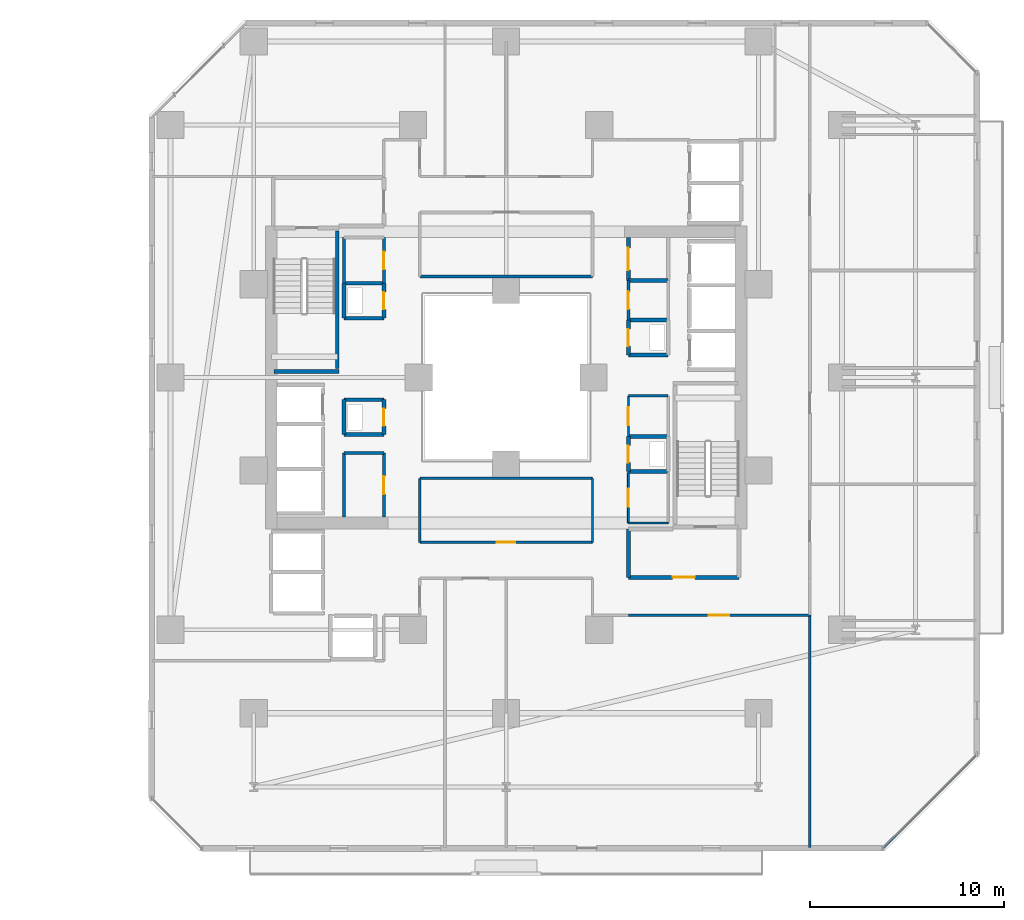
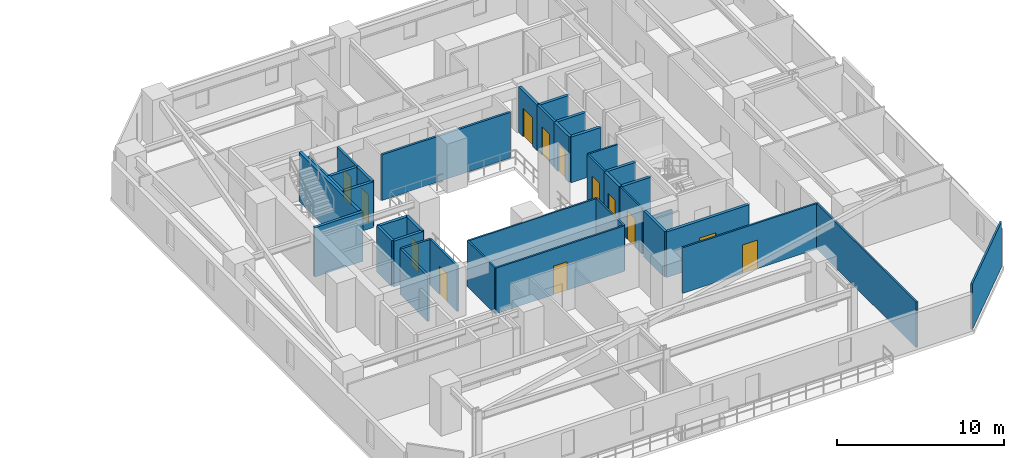
# One storey, part 23 of 33: 38 walls, 13 doors, 13 openings.
"""IFC4 building model written with IfcOpenShell, lengths in metres."""

from ifc_helpers import new_model, si_unit, direction, frame, frame_2d, origin, place, context, subcontext, project, spatial, rectangle, extrude, material, layer, layer_set, type_object, element, fill, save


model = new_model("IFC4")

# Units and contexts
model_context = context("Model", 3, precision=1e-05, world=origin(), true_north=direction((0.0, 1.0)))
body_context = subcontext(model_context, "Body", "Model", "MODEL_VIEW")
ifc_project = project(units=[si_unit("LENGTHUNIT", "METRE"), si_unit("AREAUNIT", "SQUARE_METRE"), si_unit("VOLUMEUNIT", "CUBIC_METRE"), si_unit("PLANEANGLEUNIT", "RADIAN"), si_unit("MASSUNIT", "GRAM", prefix="KILO")], contexts=[model_context])

# Site, building, storey
site_placement = place(None, origin())
site = spatial("IfcSite", under=ifc_project, at=site_placement, CompositionType="ELEMENT")
building_placement = place(site_placement, origin())
building = spatial("IfcBuilding", under=site, at=building_placement, Name="Thornwick Lancets Civic Towers", CompositionType="ELEMENT")
storey_placement = place(building_placement, frame((0.0, 0.0, 42.300048828125)))
storey = spatial("IfcBuildingStorey", under=building, at=storey_placement, Name="L10", CompositionType="ELEMENT", Elevation=42.300048828125)

# Wall, opening, door
ifc_material_1 = material(Name="Concrete blockwork C40/50", Category="masonry")
ifc_layer_1 = layer(ifc_material_1, 0.199951171875, Name="Concrete blockwork C40/50")
ifc_layer_set_1 = layer_set([ifc_layer_1], Name="Concrete blockwork C40/50")
wall_type_1 = type_object("IfcWallType", Name="WALL_COMP_200", PredefinedType="STANDARD", material=ifc_layer_set_1)
wall_1_placement = place(storey_placement, frame((94.800048828125, 16.699951171875, 0.0), z_axis=(0.0, 0.0, 1.0), x_axis=(1.0, 0.0, 0.0)))
wall_1 = element("IfcWall", 1, at=wall_1_placement, inside=storey, type_object=wall_type_1, Name="L10 Partition L10-B-FFLOB1 E1", PredefinedType="STANDARD", context=body_context, shape_type="SweptSolid", body=[
    extrude(rectangle(XDim=5.699951171875, YDim=0.199951171875, at=frame_2d((2.85009765625, 0.0))), origin(), (0.0, 0.0, 1.0), 3.33984375),
])
opening_1_placement = place(wall_1_placement, frame((2.27490234375, 0.0, 0.0)))
opening_1 = element("IfcOpeningElement", 2, at=opening_1_placement, cuts=wall_1, Name="Opening D-L10-0499", PredefinedType="OPENING", context=body_context, shape_type="SweptSolid", body=[
    extrude(rectangle(XDim=1.14990234375, YDim=2.10009765625, at=frame_2d((0.574951171875, 1.050048828125))), frame((0.0, 0.10986328125, 0.0), z_axis=(0.0, -1.0, 0.0), x_axis=(1.0, 0.0, 0.0)), (0.0, 0.0, 1.0), 0.219970703125),
])
ifc_material_2 = material(Name="Glazed fire-resisting steel", Category="steel")
door_type_1 = type_object("IfcDoorType", Name="DOOR_LOBBY_FD60", OperationType="NOTDEFINED", PredefinedType="DOOR", material=ifc_material_2)
door_1_placement = place(opening_1_placement, origin())
door_1 = element("IfcDoor", 3, at=door_1_placement, inside=storey, type_object=door_type_1, Name="L10 East Firefighting Lobby 1 Door", OperationType="SINGLE_SWING_RIGHT", OverallHeight=2.10009765625, OverallWidth=1.14990234375, PredefinedType="DOOR", context=body_context, shape_type="SweptSolid", body=[
    extrude(rectangle(XDim=1.14990234375, YDim=2.10009765625, at=frame_2d((0.574951171875, 1.050048828125))), frame((0.0, 0.02490234375, 0.0), z_axis=(0.0, -1.0, 0.0), x_axis=(1.0, 0.0, 0.0)), (0.0, 0.0, 1.0), 0.050048828125),
])
fill(opening_1, door_1)

# Walls
wall_2_placement = place(storey_placement, frame((94.800048828125, 19.199951171875, 0.0), z_axis=(0.0, 0.0, 1.0), x_axis=(0.0, -1.0, 0.0)))
element("IfcWall", 4, at=wall_2_placement, inside=storey, type_object=wall_type_1, Name="L10 Partition L10-B-FFLOB1 E4", PredefinedType="STANDARD", context=body_context, shape_type="SweptSolid", body=[
    extrude(rectangle(XDim=2.5, YDim=0.199951171875, at=frame_2d((1.25, 0.0))), origin(), (0.0, 0.0, 1.0), 3.33984375),
])
for number, where, z_axis, x_axis, name in (
    (5, (94.800048828125, 28.14990234375, 0.0), (0.0, 0.0, 1.0), (1.0, 0.0, 0.0), "L10 Partition L10-B-DUCT1 E1"),
    (6, (96.85009765625, 29.949951171875, 0.0), (0.0, 0.0, 1.0), (-1.0, 0.0, 0.0), "L10 Partition L10-B-DUCT1 E3"),
):
    element("IfcWall", number, at=place(storey_placement, frame(where, z_axis=z_axis, x_axis=x_axis)), inside=storey, type_object=wall_type_1, Name=name, PredefinedType="STANDARD", context=body_context, shape_type="SweptSolid", body=[
        extrude(rectangle(XDim=2.050048828125, YDim=0.199951171875, at=frame_2d((1.02490234375, 0.0))), origin(), (0.0, 0.0, 1.0), 3.33984375),
    ])

# Wall, opening, door
wall_3_placement = place(storey_placement, frame((94.800048828125, 29.949951171875, 0.0), z_axis=(0.0, 0.0, 1.0), x_axis=(0.0, -1.0, 0.0)))
wall_3 = element("IfcWall", 7, at=wall_3_placement, inside=storey, type_object=wall_type_1, Name="L10 Partition L10-B-DUCT1 E4", PredefinedType="STANDARD", context=body_context, shape_type="SweptSolid", body=[
    extrude(rectangle(XDim=1.800048828125, YDim=0.199951171875, at=frame_2d((0.89990234375, 0.0))), origin(), (0.0, 0.0, 1.0), 3.33984375),
])
opening_2_placement = place(wall_3_placement, frame((0.4599609375, 0.0, 0.0)))
opening_2 = element("IfcOpeningElement", 8, at=opening_2_placement, cuts=wall_3, Name="Opening D-L10-0501", PredefinedType="OPENING", context=body_context, shape_type="SweptSolid", body=[
    extrude(rectangle(XDim=0.8798828125, YDim=2.0400390625, at=frame_2d((0.43994140625, 1.02001953125))), frame((0.0, 0.10986328125, 0.0), z_axis=(0.0, -1.0, 0.0), x_axis=(1.0, 0.0, 0.0)), (0.0, 0.0, 1.0), 0.219970703125),
])
ifc_material_3 = material(Name="Steel riser access doorset", Category="steel")
door_type_2 = type_object("IfcDoorType", Name="DOOR_RISER_850", OperationType="NOTDEFINED", PredefinedType="DOOR", material=ifc_material_3)
door_2_placement = place(opening_2_placement, origin())
door_2 = element("IfcDoor", 9, at=door_2_placement, inside=storey, type_object=door_type_2, Name="L10 East Service Duct 1 Door", OperationType="SINGLE_SWING_RIGHT", OverallHeight=2.0400390625, OverallWidth=0.8798828125, PredefinedType="DOOR", context=body_context, shape_type="SweptSolid", body=[
    extrude(rectangle(XDim=0.8798828125, YDim=2.0400390625, at=frame_2d((0.43994140625, 1.02001953125))), frame((0.0, 0.02490234375, 0.0), z_axis=(0.0, -1.0, 0.0), x_axis=(1.0, 0.0, 0.0)), (0.0, 0.0, 1.0), 0.050048828125),
])
fill(opening_2, door_2)

# Walls
for number, where, z_axis, x_axis, name in (
    (10, (94.800048828125, 22.14990234375, 0.0), (0.0, 0.0, 1.0), (1.0, 0.0, 0.0), "L10 Partition L10-B-RISER1 E1"),
    (11, (96.85009765625, 23.949951171875, 0.0), (0.0, 0.0, 1.0), (-1.0, 0.0, 0.0), "L10 Partition L10-B-RISER1 E3"),
):
    element("IfcWall", number, at=place(storey_placement, frame(where, z_axis=z_axis, x_axis=x_axis)), inside=storey, type_object=wall_type_1, Name=name, PredefinedType="STANDARD", context=body_context, shape_type="SweptSolid", body=[
        extrude(rectangle(XDim=2.050048828125, YDim=0.199951171875, at=frame_2d((1.02490234375, 0.0))), origin(), (0.0, 0.0, 1.0), 3.33984375),
    ])

# Wall, opening, door
wall_4_placement = place(storey_placement, frame((94.800048828125, 23.949951171875, 0.0), z_axis=(0.0, 0.0, 1.0), x_axis=(0.0, -1.0, 0.0)))
wall_4 = element("IfcWall", 12, at=wall_4_placement, inside=storey, type_object=wall_type_1, Name="L10 Partition L10-B-RISER1 E4", PredefinedType="STANDARD", context=body_context, shape_type="SweptSolid", body=[
    extrude(rectangle(XDim=1.800048828125, YDim=0.199951171875, at=frame_2d((0.89990234375, 0.0))), origin(), (0.0, 0.0, 1.0), 3.33984375),
])
opening_3_placement = place(wall_4_placement, frame((0.4599609375, 0.0, 0.0)))
opening_3 = element("IfcOpeningElement", 13, at=opening_3_placement, cuts=wall_4, Name="Opening D-L10-0502", PredefinedType="OPENING", context=body_context, shape_type="SweptSolid", body=[
    extrude(rectangle(XDim=0.8798828125, YDim=2.0400390625, at=frame_2d((0.43994140625, 1.02001953125))), frame((0.0, 0.10986328125, 0.0), z_axis=(0.0, -1.0, 0.0), x_axis=(1.0, 0.0, 0.0)), (0.0, 0.0, 1.0), 0.219970703125),
])
door_3_placement = place(opening_3_placement, origin())
door_3 = element("IfcDoor", 14, at=door_3_placement, inside=storey, type_object=door_type_2, Name="L10 East Electrical Riser 1 Door", OperationType="SINGLE_SWING_LEFT", OverallHeight=2.0400390625, OverallWidth=0.8798828125, PredefinedType="DOOR", context=body_context, shape_type="SweptSolid", body=[
    extrude(rectangle(XDim=0.8798828125, YDim=2.0400390625, at=frame_2d((0.43994140625, 1.02001953125))), frame((0.0, 0.02490234375, 0.0), z_axis=(0.0, -1.0, 0.0), x_axis=(1.0, 0.0, 0.0)), (0.0, 0.0, 1.0), 0.050048828125),
])
fill(opening_3, door_3)

# Wall
wall_5_placement = place(storey_placement, frame((80.14990234375, 24.050048828125, 0.0), z_axis=(0.0, 0.0, 1.0), x_axis=(1.0, 0.0, 0.0)))
element("IfcWall", 15, at=wall_5_placement, inside=storey, type_object=wall_type_1, Name="L10 Partition L10-B-DUCT2 E1", PredefinedType="STANDARD", context=body_context, shape_type="SweptSolid", body=[
    extrude(rectangle(XDim=2.050048828125, YDim=0.199951171875, at=frame_2d((1.02490234375, 0.0))), origin(), (0.0, 0.0, 1.0), 3.33984375),
])

# Wall, opening, door
wall_6_placement = place(storey_placement, frame((82.199951171875, 24.050048828125, 0.0), z_axis=(0.0, 0.0, 1.0), x_axis=(0.0, 1.0, 0.0)))
wall_6 = element("IfcWall", 16, at=wall_6_placement, inside=storey, type_object=wall_type_1, Name="L10 Partition L10-B-DUCT2 E2", PredefinedType="STANDARD", context=body_context, shape_type="SweptSolid", body=[
    extrude(rectangle(XDim=1.800048828125, YDim=0.199951171875, at=frame_2d((0.89990234375, 0.0))), origin(), (0.0, 0.0, 1.0), 3.33984375),
])
opening_4_placement = place(wall_6_placement, frame((0.4599609375, 0.0, 0.0)))
opening_4 = element("IfcOpeningElement", 17, at=opening_4_placement, cuts=wall_6, Name="Opening D-L10-0503", PredefinedType="OPENING", context=body_context, shape_type="SweptSolid", body=[
    extrude(rectangle(XDim=0.8798828125, YDim=2.0400390625, at=frame_2d((0.43994140625, 1.02001953125))), frame((0.0, 0.10986328125, 0.0), z_axis=(0.0, -1.0, 0.0), x_axis=(1.0, 0.0, 0.0)), (0.0, 0.0, 1.0), 0.219970703125),
])
door_4_placement = place(opening_4_placement, origin())
door_4 = element("IfcDoor", 18, at=door_4_placement, inside=storey, type_object=door_type_2, Name="L10 West Service Duct 2 Door", OperationType="SINGLE_SWING_RIGHT", OverallHeight=2.0400390625, OverallWidth=0.8798828125, PredefinedType="DOOR", context=body_context, shape_type="SweptSolid", body=[
    extrude(rectangle(XDim=0.8798828125, YDim=2.0400390625, at=frame_2d((0.43994140625, 1.02001953125))), frame((0.0, 0.02490234375, 0.0), z_axis=(0.0, -1.0, 0.0), x_axis=(1.0, 0.0, 0.0)), (0.0, 0.0, 1.0), 0.050048828125),
])
fill(opening_4, door_4)

# Walls
wall_7_placement = place(storey_placement, frame((82.199951171875, 25.85009765625, 0.0), z_axis=(0.0, 0.0, 1.0), x_axis=(-1.0, 0.0, 0.0)))
element("IfcWall", 19, at=wall_7_placement, inside=storey, type_object=wall_type_1, Name="L10 Partition L10-B-DUCT2 E3", PredefinedType="STANDARD", context=body_context, shape_type="SweptSolid", body=[
    extrude(rectangle(XDim=2.050048828125, YDim=0.199951171875, at=frame_2d((1.02490234375, 0.0))), origin(), (0.0, 0.0, 1.0), 3.33984375),
])
wall_8_placement = place(storey_placement, frame((80.14990234375, 25.85009765625, 0.0), z_axis=(0.0, 0.0, 1.0), x_axis=(0.0, -1.0, 0.0)))
element("IfcWall", 20, at=wall_8_placement, inside=storey, type_object=wall_type_1, Name="L10 Partition L10-B-DUCT2 E4", PredefinedType="STANDARD", context=body_context, shape_type="SweptSolid", body=[
    extrude(rectangle(XDim=1.800048828125, YDim=0.199951171875, at=frame_2d((0.89990234375, 0.0))), origin(), (0.0, 0.0, 1.0), 3.33984375),
])
wall_9_placement = place(storey_placement, frame((80.14990234375, 30.050048828125, 0.0), z_axis=(0.0, 0.0, 1.0), x_axis=(1.0, 0.0, 0.0)))
element("IfcWall", 21, at=wall_9_placement, inside=storey, type_object=wall_type_1, Name="L10 Partition L10-B-RISER2 E1", PredefinedType="STANDARD", context=body_context, shape_type="SweptSolid", body=[
    extrude(rectangle(XDim=2.050048828125, YDim=0.199951171875, at=frame_2d((1.02490234375, 0.0))), origin(), (0.0, 0.0, 1.0), 3.33984375),
])

# Wall, opening, door
wall_10_placement = place(storey_placement, frame((82.199951171875, 30.050048828125, 0.0), z_axis=(0.0, 0.0, 1.0), x_axis=(0.0, 1.0, 0.0)))
wall_10 = element("IfcWall", 22, at=wall_10_placement, inside=storey, type_object=wall_type_1, Name="L10 Partition L10-B-RISER2 E2", PredefinedType="STANDARD", context=body_context, shape_type="SweptSolid", body=[
    extrude(rectangle(XDim=1.800048828125, YDim=0.199951171875, at=frame_2d((0.89990234375, 0.0))), origin(), (0.0, 0.0, 1.0), 3.33984375),
])
opening_5_placement = place(wall_10_placement, frame((0.4599609375, 0.0, 0.0)))
opening_5 = element("IfcOpeningElement", 23, at=opening_5_placement, cuts=wall_10, Name="Opening D-L10-0504", PredefinedType="OPENING", context=body_context, shape_type="SweptSolid", body=[
    extrude(rectangle(XDim=0.8798828125, YDim=2.0400390625, at=frame_2d((0.43994140625, 1.02001953125))), frame((0.0, 0.10986328125, 0.0), z_axis=(0.0, -1.0, 0.0), x_axis=(1.0, 0.0, 0.0)), (0.0, 0.0, 1.0), 0.219970703125),
])
door_5_placement = place(opening_5_placement, origin())
door_5 = element("IfcDoor", 24, at=door_5_placement, inside=storey, type_object=door_type_2, Name="L10 West Service Riser 2 Door", OperationType="SINGLE_SWING_LEFT", OverallHeight=2.0400390625, OverallWidth=0.8798828125, PredefinedType="DOOR", context=body_context, shape_type="SweptSolid", body=[
    extrude(rectangle(XDim=0.8798828125, YDim=2.0400390625, at=frame_2d((0.43994140625, 1.02001953125))), frame((0.0, 0.02490234375, 0.0), z_axis=(0.0, -1.0, 0.0), x_axis=(1.0, 0.0, 0.0)), (0.0, 0.0, 1.0), 0.050048828125),
])
fill(opening_5, door_5)

# Walls
wall_11_placement = place(storey_placement, frame((82.199951171875, 31.85009765625, 0.0), z_axis=(0.0, 0.0, 1.0), x_axis=(-1.0, 0.0, 0.0)))
element("IfcWall", 25, at=wall_11_placement, inside=storey, type_object=wall_type_1, Name="L10 Partition L10-B-RISER2 E3", PredefinedType="STANDARD", context=body_context, shape_type="SweptSolid", body=[
    extrude(rectangle(XDim=2.050048828125, YDim=0.199951171875, at=frame_2d((1.02490234375, 0.0))), origin(), (0.0, 0.0, 1.0), 3.33984375),
])
wall_12_placement = place(storey_placement, frame((80.14990234375, 31.85009765625, 0.0), z_axis=(0.0, 0.0, 1.0), x_axis=(0.0, -1.0, 0.0)))
element("IfcWall", 26, at=wall_12_placement, inside=storey, type_object=wall_type_1, Name="L10 Partition L10-B-RISER2 E4", PredefinedType="STANDARD", context=body_context, shape_type="SweptSolid", body=[
    extrude(rectangle(XDim=1.800048828125, YDim=0.199951171875, at=frame_2d((0.89990234375, 0.0))), origin(), (0.0, 0.0, 1.0), 3.33984375),
])

# Wall, opening, door
wall_13_placement = place(storey_placement, frame((94.800048828125, 32.0, 0.0), z_axis=(0.0, 0.0, 1.0), x_axis=(0.0, 1.0, 0.0)))
wall_13 = element("IfcWall", 27, at=wall_13_placement, inside=storey, type_object=wall_type_1, Name="L10 Partition L10-B-STR2 E1", PredefinedType="STANDARD", context=body_context, shape_type="SweptSolid", body=[
    extrude(rectangle(XDim=2.199951171875, YDim=0.199951171875, at=frame_2d((1.10009765625, 0.0))), origin(), (0.0, 0.0, 1.0), 3.33984375),
])
opening_6_placement = place(wall_13_placement, frame((0.52490234375, 0.0, 0.0)))
opening_6 = element("IfcOpeningElement", 28, at=opening_6_placement, cuts=wall_13, Name="Opening D-L10-0508", PredefinedType="OPENING", context=body_context, shape_type="SweptSolid", body=[
    extrude(rectangle(XDim=1.14990234375, YDim=2.10009765625, at=frame_2d((0.574951171875, 1.050048828125))), frame((0.0, 0.10986328125, 0.0), z_axis=(0.0, -1.0, 0.0), x_axis=(1.0, 0.0, 0.0)), (0.0, 0.0, 1.0), 0.219970703125),
])
door_6_placement = place(opening_6_placement, origin())
door_6 = element("IfcDoor", 29, at=door_6_placement, inside=storey, type_object=door_type_1, Name="L10 Tower B Core Supplies Store Door", OperationType="SINGLE_SWING_LEFT", OverallHeight=2.10009765625, OverallWidth=1.14990234375, PredefinedType="DOOR", context=body_context, shape_type="SweptSolid", body=[
    extrude(rectangle(XDim=1.14990234375, YDim=2.10009765625, at=frame_2d((0.574951171875, 1.050048828125))), frame((0.0, 0.02490234375, 0.0), z_axis=(0.0, -1.0, 0.0), x_axis=(1.0, 0.0, 0.0)), (0.0, 0.0, 1.0), 0.050048828125),
])
fill(opening_6, door_6)

# Walls
wall_14_placement = place(storey_placement, frame((96.85009765625, 32.0, 0.0), z_axis=(0.0, 0.0, 1.0), x_axis=(-1.0, 0.0, 0.0)))
element("IfcWall", 30, at=wall_14_placement, inside=storey, type_object=wall_type_1, Name="L10 Partition L10-B-STR2 E4", PredefinedType="STANDARD", context=body_context, shape_type="SweptSolid", body=[
    extrude(rectangle(XDim=2.050048828125, YDim=0.199951171875, at=frame_2d((1.02490234375, 0.0))), origin(), (0.0, 0.0, 1.0), 3.33984375),
])
ifc_material_4 = material(Name="Lightweight cellular office partition")
ifc_layer_2 = layer(ifc_material_4, 0.10009765625, Name="Lightweight cellular office partition")
ifc_layer_set_2 = layer_set([ifc_layer_2], Name="Lightweight cellular office partition")
wall_type_2 = type_object("IfcWallType", Name="WALL_PART_100", PredefinedType="PARTITIONING", material=ifc_layer_set_2)
wall_15_placement = place(storey_placement, frame((94.800048828125, 19.5, 0.0), z_axis=(0.0, 0.0, 1.0), x_axis=(1.0, 0.0, 0.0)))
element("IfcWall", 31, at=wall_15_placement, inside=storey, type_object=wall_type_2, Name="L10 Partition L10-B-CLN E1", PredefinedType="PARTITIONING", context=body_context, shape_type="SweptSolid", body=[
    extrude(rectangle(XDim=2.050048828125, YDim=0.10009765625, at=frame_2d((1.02490234375, 0.0))), origin(), (0.0, 0.0, 1.0), 2.544921875),
])

# Wall, opening, door
wall_16_placement = place(storey_placement, frame((94.800048828125, 22.10009765625, 0.0), z_axis=(0.0, 0.0, 1.0), x_axis=(0.0, -1.0, 0.0)))
wall_16 = element("IfcWall", 32, at=wall_16_placement, inside=storey, type_object=wall_type_2, Name="L10 Partition L10-B-CLN E4", PredefinedType="PARTITIONING", context=body_context, shape_type="SweptSolid", body=[
    extrude(rectangle(XDim=2.60009765625, YDim=0.10009765625, at=frame_2d((1.300048828125, 0.0))), origin(), (0.0, 0.0, 1.0), 3.33984375),
])
opening_7_placement = place(wall_16_placement, frame((0.824951171875, 0.0, 0.0)))
opening_7 = element("IfcOpeningElement", 33, at=opening_7_placement, cuts=wall_16, Name="Opening D-L10-0505", PredefinedType="OPENING", context=body_context, shape_type="SweptSolid", body=[
    extrude(rectangle(XDim=0.949951171875, YDim=2.10009765625, at=frame_2d((0.47509765625, 1.050048828125))), frame((0.0, 0.06005859375, 0.0), z_axis=(0.0, -1.0, 0.0), x_axis=(1.0, 0.0, 0.0)), (0.0, 0.0, 1.0), 0.1201171875),
])
ifc_material_5 = material(Name="European oak acoustic doorset")
door_type_3 = type_object("IfcDoorType", Name="DOOR_OFFICE_950", OperationType="NOTDEFINED", PredefinedType="DOOR", material=ifc_material_5)
door_7_placement = place(opening_7_placement, origin())
door_7 = element("IfcDoor", 34, at=door_7_placement, inside=storey, type_object=door_type_3, Name="L10 Tower B Cleaners Store Door", OperationType="SINGLE_SWING_RIGHT", OverallHeight=2.10009765625, OverallWidth=0.949951171875, PredefinedType="DOOR", context=body_context, shape_type="SweptSolid", body=[
    extrude(rectangle(XDim=0.949951171875, YDim=2.10009765625, at=frame_2d((0.47509765625, 1.050048828125))), frame((0.0, 0.02490234375, 0.0), z_axis=(0.0, -1.0, 0.0), x_axis=(1.0, 0.0, 0.0)), (0.0, 0.0, 1.0), 0.050048828125),
])
fill(opening_7, door_7)

ifc_material_6 = material(Name="Acoustic gypsum board partition")
ifc_layer_3 = layer(ifc_material_6, 0.1201171875, Name="Acoustic gypsum board partition")
ifc_layer_set_3 = layer_set([ifc_layer_3], Name="Acoustic gypsum board partition")
wall_type_3 = type_object("IfcWallType", Name="WALL_PART_120", PredefinedType="PARTITIONING", material=ifc_layer_set_3)
wall_17_placement = place(storey_placement, frame((94.800048828125, 23.949951171875, 0.0), z_axis=(0.0, 0.0, 1.0), x_axis=(0.0, 1.0, 0.0)))
wall_17 = element("IfcWall", 35, at=wall_17_placement, inside=storey, type_object=wall_type_3, Name="L10 Partition L10-B-ITR E1", PredefinedType="PARTITIONING", context=body_context, shape_type="SweptSolid", body=[
    extrude(rectangle(XDim=2.10009765625, YDim=0.1201171875, at=frame_2d((1.050048828125, 0.0))), origin(), (0.0, 0.0, 1.0), 3.33984375),
])
opening_8_placement = place(wall_17_placement, frame((0.574951171875, 0.0, 0.0)))
opening_8 = element("IfcOpeningElement", 36, at=opening_8_placement, cuts=wall_17, Name="Opening D-L10-0506", PredefinedType="OPENING", context=body_context, shape_type="SweptSolid", body=[
    extrude(rectangle(XDim=0.949951171875, YDim=2.10009765625, at=frame_2d((0.47509765625, 1.050048828125))), frame((0.0, 0.070068359375, 0.0), z_axis=(0.0, -1.0, 0.0), x_axis=(1.0, 0.0, 0.0)), (0.0, 0.0, 1.0), 0.14013671875),
])
door_8_placement = place(opening_8_placement, origin())
door_8 = element("IfcDoor", 37, at=door_8_placement, inside=storey, type_object=door_type_3, Name="L10 Tower B Comms Patch Room Door", OperationType="SINGLE_SWING_LEFT", OverallHeight=2.10009765625, OverallWidth=0.949951171875, PredefinedType="DOOR", context=body_context, shape_type="SweptSolid", body=[
    extrude(rectangle(XDim=0.949951171875, YDim=2.10009765625, at=frame_2d((0.47509765625, 1.050048828125))), frame((0.0, 0.02490234375, 0.0), z_axis=(0.0, -1.0, 0.0), x_axis=(1.0, 0.0, 0.0)), (0.0, 0.0, 1.0), 0.050048828125),
])
fill(opening_8, door_8)

# Wall
wall_18_placement = place(storey_placement, frame((94.800048828125, 26.050048828125, 0.0), z_axis=(0.0, 0.0, 1.0), x_axis=(1.0, 0.0, 0.0)))
element("IfcWall", 38, at=wall_18_placement, inside=storey, type_object=wall_type_3, Name="L10 Partition L10-B-ITR E2", PredefinedType="PARTITIONING", context=body_context, shape_type="SweptSolid", body=[
    extrude(rectangle(XDim=2.050048828125, YDim=0.1201171875, at=frame_2d((1.02490234375, 0.0))), origin(), (0.0, 0.0, 1.0), 3.33984375),
])

# Wall, opening, door
wall_19_placement = place(storey_placement, frame((94.800048828125, 14.75, 0.0), z_axis=(0.0, 0.0, 1.0), x_axis=(1.0, 0.0, 0.0)))
wall_19 = element("IfcWall", 39, at=wall_19_placement, inside=storey, type_object=wall_type_3, Name="L10 Partition L10-B-W1 E3", PredefinedType="PARTITIONING", context=body_context, shape_type="SweptSolid", body=[
    extrude(rectangle(XDim=9.349853515625, YDim=0.1201171875, at=frame_2d((4.6748046875, 0.0))), origin(), (0.0, 0.0, 1.0), 3.33984375),
])
opening_9_placement = place(wall_19_placement, frame((4.14990234375, 0.0, 0.0)))
opening_9 = element("IfcOpeningElement", 40, at=opening_9_placement, cuts=wall_19, Name="Opening D-L10-0522", PredefinedType="OPENING", context=body_context, shape_type="SweptSolid", body=[
    extrude(rectangle(XDim=1.050048828125, YDim=2.10009765625, at=frame_2d((0.52490234375, 1.050048828125))), frame((0.0, 0.070068359375, 0.0), z_axis=(0.0, -1.0, 0.0), x_axis=(1.0, 0.0, 0.0)), (0.0, 0.0, 1.0), 0.14013671875),
])
ifc_material_7 = material(Name="Glazed European oak executive doorset")
door_type_4 = type_object("IfcDoorType", Name="DOOR_OFFICE_1050", OperationType="NOTDEFINED", PredefinedType="DOOR", material=ifc_material_7)
door_9_placement = place(opening_9_placement, origin())
door_9 = element("IfcDoor", 41, at=door_9_placement, inside=storey, type_object=door_type_4, Name="L10 Tower B Ministry Directorate Office W1 Door", OperationType="SINGLE_SWING_LEFT", OverallHeight=2.10009765625, OverallWidth=1.050048828125, PredefinedType="DOOR", context=body_context, shape_type="SweptSolid", body=[
    extrude(rectangle(XDim=1.050048828125, YDim=2.10009765625, at=frame_2d((0.52490234375, 1.050048828125))), frame((0.0, 0.02490234375, 0.0), z_axis=(0.0, -1.0, 0.0), x_axis=(1.0, 0.0, 0.0)), (0.0, 0.0, 1.0), 0.050048828125),
])
fill(opening_9, door_9)

# Walls
wall_20_placement = place(storey_placement, frame((104.14990234375, 14.75, 0.0), z_axis=(0.0, 0.0, 1.0), x_axis=(0.0, -1.0, 0.0)))
element("IfcWall", 42, at=wall_20_placement, inside=storey, type_object=wall_type_3, Name="L10 Partition L10-B-W1 E4", PredefinedType="PARTITIONING", context=body_context, shape_type="SweptSolid", body=[
    extrude(rectangle(XDim=11.969970703125, YDim=0.1201171875, at=frame_2d((5.98486328125, 0.0))), origin(), (0.0, 0.0, 1.0), 3.33984375),
])
wall_21_placement = place(storey_placement, frame((84.050048828125, 18.5, 0.0), z_axis=(0.0, 0.0, 1.0), x_axis=(0.0, 1.0, 0.0)))
element("IfcWall", 43, at=wall_21_placement, inside=storey, type_object=wall_type_3, Name="L10 Partition L10-B-ATR-W E1", PredefinedType="PARTITIONING", context=body_context, shape_type="SweptSolid", body=[
    extrude(rectangle(XDim=3.300048828125, YDim=0.1201171875, at=frame_2d((1.64990234375, 0.0))), origin(), (0.0, 0.0, 1.0), 3.33984375),
])
wall_22_placement = place(storey_placement, frame((84.050048828125, 21.800048828125, 0.0), z_axis=(0.0, 0.0, 1.0), x_axis=(1.0, 0.0, 0.0)))
element("IfcWall", 44, at=wall_22_placement, inside=storey, type_object=wall_type_3, Name="L10 Partition L10-B-ATR-W E2", PredefinedType="PARTITIONING", context=body_context, shape_type="SweptSolid", body=[
    extrude(rectangle(XDim=8.89990234375, YDim=0.1201171875, at=frame_2d((4.449951171875, 0.0))), origin(), (0.0, 0.0, 1.0), 3.33984375),
])
wall_23_placement = place(storey_placement, frame((92.949951171875, 21.800048828125, 0.0), z_axis=(0.0, 0.0, 1.0), x_axis=(0.0, -1.0, 0.0)))
element("IfcWall", 45, at=wall_23_placement, inside=storey, type_object=wall_type_3, Name="L10 Partition L10-B-ATR-W E3", PredefinedType="PARTITIONING", context=body_context, shape_type="SweptSolid", body=[
    extrude(rectangle(XDim=3.300048828125, YDim=0.1201171875, at=frame_2d((1.64990234375, 0.0))), origin(), (0.0, 0.0, 1.0), 3.33984375),
])

# Wall, opening, door
wall_24_placement = place(storey_placement, frame((92.949951171875, 18.5, 0.0), z_axis=(0.0, 0.0, 1.0), x_axis=(-1.0, 0.0, 0.0)))
wall_24 = element("IfcWall", 46, at=wall_24_placement, inside=storey, type_object=wall_type_3, Name="L10 Partition L10-B-ATR-W E4", PredefinedType="PARTITIONING", context=body_context, shape_type="SweptSolid", body=[
    extrude(rectangle(XDim=8.89990234375, YDim=0.1201171875, at=frame_2d((4.449951171875, 0.0))), origin(), (0.0, 0.0, 1.0), 3.33984375),
])
opening_10_placement = place(wall_24_placement, frame((3.97509765625, 0.0, 0.0)))
opening_10 = element("IfcOpeningElement", 47, at=opening_10_placement, cuts=wall_24, Name="Opening D-L10-0529", PredefinedType="OPENING", context=body_context, shape_type="SweptSolid", body=[
    extrude(rectangle(XDim=0.949951171875, YDim=2.10009765625, at=frame_2d((0.47509765625, 1.050048828125))), frame((0.0, 0.070068359375, 0.0), z_axis=(0.0, -1.0, 0.0), x_axis=(1.0, 0.0, 0.0)), (0.0, 0.0, 1.0), 0.14013671875),
])
door_10_placement = place(opening_10_placement, origin())
door_10 = element("IfcDoor", 48, at=door_10_placement, inside=storey, type_object=door_type_3, Name="L10 Tower B West Atrium Study Lounge Door", OperationType="SINGLE_SWING_RIGHT", OverallHeight=2.10009765625, OverallWidth=0.949951171875, PredefinedType="DOOR", context=body_context, shape_type="SweptSolid", body=[
    extrude(rectangle(XDim=0.949951171875, YDim=2.10009765625, at=frame_2d((0.47509765625, 1.050048828125))), frame((0.0, 0.02490234375, 0.0), z_axis=(0.0, -1.0, 0.0), x_axis=(1.0, 0.0, 0.0)), (0.0, 0.0, 1.0), 0.050048828125),
])
fill(opening_10, door_10)

# Wall
wall_25_placement = place(storey_placement, frame((112.719970703125, 7.565673828125, 0.0), z_axis=(0.0, 0.0, 1.0), x_axis=(-0.707106781187, -0.707106781187, 0.0)))
element("IfcWall", 49, at=wall_25_placement, inside=storey, type_object=wall_type_3, Name="L10 Partition L10-B-S-OFF1 E11", PredefinedType="PARTITIONING", context=body_context, shape_type="SweptSolid", body=[
    extrude(rectangle(XDim=6.767822265625, YDim=0.1201171875, at=frame_2d((3.3837890625, 0.0))), origin(), (0.0, 0.0, 1.0), 3.33984375),
])

# Wall, opening, door
ifc_material_8 = material(Name="Twin-stud acoustic gypsum board")
ifc_layer_4 = layer(ifc_material_8, 0.14990234375, Name="Twin-stud acoustic gypsum board")
ifc_layer_set_4 = layer_set([ifc_layer_4], Name="Twin-stud acoustic gypsum board")
wall_type_4 = type_object("IfcWallType", Name="WALL_PART_150", PredefinedType="PARTITIONING", material=ifc_layer_set_4)
wall_26_placement = place(storey_placement, frame((94.800048828125, 29.949951171875, 0.0), z_axis=(0.0, 0.0, 1.0), x_axis=(0.0, 1.0, 0.0)))
wall_26 = element("IfcWall", 50, at=wall_26_placement, inside=storey, type_object=wall_type_4, Name="L10 Partition L10-B-AWC E1", PredefinedType="PARTITIONING", context=body_context, shape_type="SweptSolid", body=[
    extrude(rectangle(XDim=2.050048828125, YDim=0.14990234375, at=frame_2d((1.02490234375, 0.0))), origin(), (0.0, 0.0, 1.0), 3.33984375),
])
opening_11_placement = place(wall_26_placement, frame((0.56494140625, 0.0, 0.0)))
opening_11 = element("IfcOpeningElement", 51, at=opening_11_placement, cuts=wall_26, Name="Opening D-L10-0507", PredefinedType="OPENING", context=body_context, shape_type="SweptSolid", body=[
    extrude(rectangle(XDim=0.919921875, YDim=2.080078125, at=frame_2d((0.4599609375, 1.0400390625))), frame((0.0, 0.0849609375, 0.0), z_axis=(0.0, -1.0, 0.0), x_axis=(1.0, 0.0, 0.0)), (0.0, 0.0, 1.0), 0.169921875),
])
ifc_material_9 = material(Name="Moisture-resistant oak doorset")
door_type_5 = type_object("IfcDoorType", Name="DOOR_WC_900", OperationType="NOTDEFINED", PredefinedType="DOOR", material=ifc_material_9)
door_11_placement = place(opening_11_placement, origin())
door_11 = element("IfcDoor", 52, at=door_11_placement, inside=storey, type_object=door_type_5, Name="L10 Tower B Accessible WC Door", OperationType="SINGLE_SWING_RIGHT", OverallHeight=2.080078125, OverallWidth=0.919921875, PredefinedType="DOOR", context=body_context, shape_type="SweptSolid", body=[
    extrude(rectangle(XDim=0.919921875, YDim=2.080078125, at=frame_2d((0.4599609375, 1.0400390625))), frame((0.0, 0.02490234375, 0.0), z_axis=(0.0, -1.0, 0.0), x_axis=(1.0, 0.0, 0.0)), (0.0, 0.0, 1.0), 0.050048828125),
])
fill(opening_11, door_11)

wall_27_placement = place(storey_placement, frame((82.199951171875, 19.800048828125, 0.0), z_axis=(0.0, 0.0, 1.0), x_axis=(0.0, 1.0, 0.0)))
wall_27 = element("IfcWall", 53, at=wall_27_placement, inside=storey, type_object=wall_type_4, Name="L10 Partition L10-B-MWC E2", PredefinedType="PARTITIONING", context=body_context, shape_type="SweptSolid", body=[
    extrude(rectangle(XDim=3.300048828125, YDim=0.14990234375, at=frame_2d((1.64990234375, 0.0))), origin(), (0.0, 0.0, 1.0), 3.33984375),
])
opening_12_placement = place(wall_27_placement, frame((1.18994140625, 0.0, 0.0)))
opening_12 = element("IfcOpeningElement", 54, at=opening_12_placement, cuts=wall_27, Name="Opening D-L10-0509", PredefinedType="OPENING", context=body_context, shape_type="SweptSolid", body=[
    extrude(rectangle(XDim=0.919921875, YDim=2.080078125, at=frame_2d((0.4599609375, 1.0400390625))), frame((0.0, 0.0849609375, 0.0), z_axis=(0.0, -1.0, 0.0), x_axis=(1.0, 0.0, 0.0)), (0.0, 0.0, 1.0), 0.169921875),
])
door_12_placement = place(opening_12_placement, origin())
door_12 = element("IfcDoor", 55, at=door_12_placement, inside=storey, type_object=door_type_5, Name="L10 Tower B Male WC Door", OperationType="SINGLE_SWING_RIGHT", OverallHeight=2.080078125, OverallWidth=0.919921875, PredefinedType="DOOR", context=body_context, shape_type="SweptSolid", body=[
    extrude(rectangle(XDim=0.919921875, YDim=2.080078125, at=frame_2d((0.4599609375, 1.0400390625))), frame((0.0, 0.02490234375, 0.0), z_axis=(0.0, -1.0, 0.0), x_axis=(1.0, 0.0, 0.0)), (0.0, 0.0, 1.0), 0.050048828125),
])
fill(opening_12, door_12)

# Walls
wall_28_placement = place(storey_placement, frame((82.199951171875, 23.10009765625, 0.0), z_axis=(0.0, 0.0, 1.0), x_axis=(-1.0, 0.0, 0.0)))
element("IfcWall", 56, at=wall_28_placement, inside=storey, type_object=wall_type_4, Name="L10 Partition L10-B-MWC E3", PredefinedType="PARTITIONING", context=body_context, shape_type="SweptSolid", body=[
    extrude(rectangle(XDim=2.050048828125, YDim=0.14990234375, at=frame_2d((1.02490234375, 0.0))), origin(), (0.0, 0.0, 1.0), 3.33984375),
])
wall_29_placement = place(storey_placement, frame((80.14990234375, 23.10009765625, 0.0), z_axis=(0.0, 0.0, 1.0), x_axis=(0.0, -1.0, 0.0)))
element("IfcWall", 57, at=wall_29_placement, inside=storey, type_object=wall_type_4, Name="L10 Partition L10-B-MWC E4", PredefinedType="PARTITIONING", context=body_context, shape_type="SweptSolid", body=[
    extrude(rectangle(XDim=3.300048828125, YDim=0.14990234375, at=frame_2d((1.64990234375, 0.0))), origin(), (0.0, 0.0, 1.0), 3.33984375),
])
wall_30_placement = place(storey_placement, frame((80.14990234375, 31.85009765625, 0.0), z_axis=(0.0, 0.0, 1.0), x_axis=(0.0, 1.0, 0.0)))
element("IfcWall", 58, at=wall_30_placement, inside=storey, type_object=wall_type_4, Name="L10 Partition L10-B-FWC E1", PredefinedType="PARTITIONING", context=body_context, shape_type="SweptSolid", body=[
    extrude(rectangle(XDim=2.349853515625, YDim=0.14990234375, at=frame_2d((1.1748046875, 0.0))), origin(), (0.0, 0.0, 1.0), 3.33984375),
])

# Wall, opening, door
wall_31_placement = place(storey_placement, frame((82.199951171875, 34.199951171875, 0.0), z_axis=(0.0, 0.0, 1.0), x_axis=(0.0, -1.0, 0.0)))
wall_31 = element("IfcWall", 59, at=wall_31_placement, inside=storey, type_object=wall_type_4, Name="L10 Partition L10-B-FWC E3", PredefinedType="PARTITIONING", context=body_context, shape_type="SweptSolid", body=[
    extrude(rectangle(XDim=2.349853515625, YDim=0.14990234375, at=frame_2d((1.1748046875, 0.0))), origin(), (0.0, 0.0, 1.0), 3.33984375),
])
opening_13_placement = place(wall_31_placement, frame((0.715087890625, 0.0, 0.0)))
opening_13 = element("IfcOpeningElement", 60, at=opening_13_placement, cuts=wall_31, Name="Opening D-L10-0510", PredefinedType="OPENING", context=body_context, shape_type="SweptSolid", body=[
    extrude(rectangle(XDim=0.919921875, YDim=2.080078125, at=frame_2d((0.4599609375, 1.0400390625))), frame((0.0, 0.0849609375, 0.0), z_axis=(0.0, -1.0, 0.0), x_axis=(1.0, 0.0, 0.0)), (0.0, 0.0, 1.0), 0.169921875),
])
door_13_placement = place(opening_13_placement, origin())
door_13 = element("IfcDoor", 61, at=door_13_placement, inside=storey, type_object=door_type_5, Name="L10 Tower B Female WC Door", OperationType="SINGLE_SWING_LEFT", OverallHeight=2.080078125, OverallWidth=0.919921875, PredefinedType="DOOR", context=body_context, shape_type="SweptSolid", body=[
    extrude(rectangle(XDim=0.919921875, YDim=2.080078125, at=frame_2d((0.4599609375, 1.0400390625))), frame((0.0, 0.02490234375, 0.0), z_axis=(0.0, -1.0, 0.0), x_axis=(1.0, 0.0, 0.0)), (0.0, 0.0, 1.0), 0.050048828125),
])
fill(opening_13, door_13)

# Walls
wall_32_placement = place(storey_placement, frame((92.949951171875, 32.199951171875, 0.0), z_axis=(0.0, 0.0, 1.0), x_axis=(-1.0, 0.0, 0.0)))
element("IfcWall", 62, at=wall_32_placement, inside=storey, type_object=wall_type_4, Name="L10 Partition L10-B-ATR-E E4", PredefinedType="PARTITIONING", context=body_context, shape_type="SweptSolid", body=[
    extrude(rectangle(XDim=8.89990234375, YDim=0.14990234375, at=frame_2d((4.449951171875, 0.0))), origin(), (0.0, 0.0, 1.0), 3.33984375),
])
ifc_material_10 = material(Name="Concrete C40/50", Category="concrete")
ifc_layer_5 = layer(ifc_material_10, 0.199951171875, Name="Concrete C40/50")
ifc_layer_set_5 = layer_set([ifc_layer_5], Name="Concrete C40/50")
wall_type_5 = type_object("IfcWallType", Name="WALL_SHAFT_200", PredefinedType="SHEAR", material=ifc_layer_set_5)
wall_33_placement = place(storey_placement, frame((79.89990234375, 27.300048828125, 0.0), z_axis=(0.0, 0.0, 1.0), x_axis=(-1.0, 0.0, 0.0)))
element("IfcWall", 63, at=wall_33_placement, inside=storey, type_object=wall_type_5, Name="L10 ST-B2 Fire Stair Core Wall FAR", PredefinedType="SHEAR", context=body_context, shape_type="SweptSolid", body=[
    extrude(rectangle(XDim=3.349853515625, YDim=0.199951171875, at=frame_2d((1.6748046875, 0.0))), origin(), (0.0, 0.0, 1.0), 3.599853515625),
])
wall_34_placement = place(storey_placement, frame((79.797119140625, 27.449951171875, 0.0), z_axis=(0.0, 0.0, 1.0), x_axis=(0.0, 1.0, 0.0)))
element("IfcWall", 64, at=wall_34_placement, inside=storey, type_object=wall_type_5, Name="L10 ST-B2 Fire Stair Core Wall RIGHT", PredefinedType="SHEAR", context=body_context, shape_type="SweptSolid", body=[
    extrude(rectangle(XDim=7.10009765625, YDim=0.199951171875, at=frame_2d((3.550048828125, 0.0))), origin(), (0.0, 0.0, 1.0), 3.599853515625),
])

save(model, "model.ifc")
